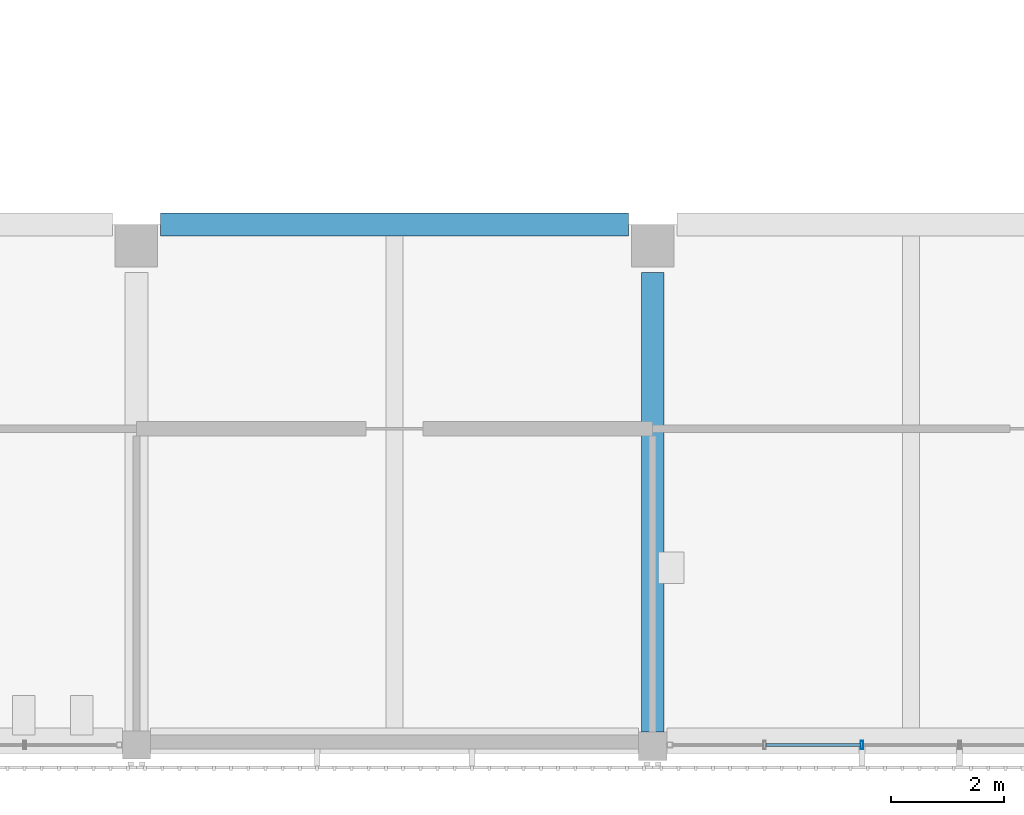
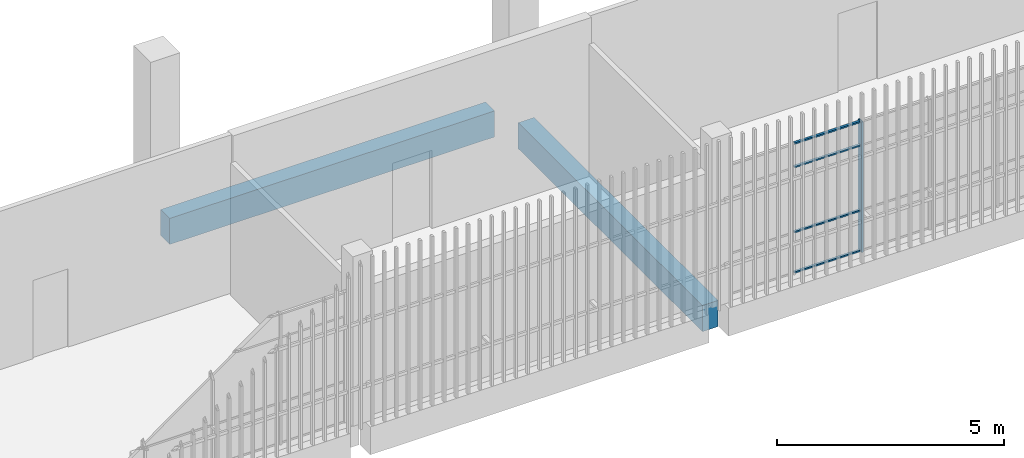
# One storey, part 25 of 124: 5 members, 2 beams, 1 element without a shape of its own.
"""IFC4 building model written with IfcOpenShell, lengths in metres."""

from ifc_helpers import new_model, si_unit, direction, frame, origin, origin_2d, place, context, subcontext, project, spatial, rectangle, hollow_rectangle, extrude, material, layer, layer_set, material_profile, profile_set, type_object, element, aggregate, save


model = new_model("IFC4")

# Units and contexts
model_context = context("Model", 3, precision=1e-05, world=origin(), true_north=direction((0.0, 1.0)))
body_context = subcontext(model_context, "Body", "Model", "MODEL_VIEW")
ifc_project = project(units=[si_unit("LENGTHUNIT", "METRE"), si_unit("AREAUNIT", "SQUARE_METRE"), si_unit("VOLUMEUNIT", "CUBIC_METRE"), si_unit("PLANEANGLEUNIT", "RADIAN"), si_unit("MASSUNIT", "GRAM", prefix="KILO")], contexts=[model_context])

# Site, building, storey
site_placement = place(None, origin())
site = spatial("IfcSite", under=ifc_project, at=site_placement, CompositionType="ELEMENT")
building_placement = place(site_placement, origin())
building = spatial("IfcBuilding", under=site, at=building_placement, Name="Shirokan Park Arena", CompositionType="ELEMENT")
storey_placement = place(building_placement, frame((0.0, 0.0, 20.02001953125)))
storey = spatial("IfcBuildingStorey", under=building, at=storey_placement, Name="L04", CompositionType="ELEMENT", Elevation=20.02001953125)

# Curtain wall, member
ifc_material_1 = material(Name="Steel and glass curtain wall", Category="steel")
ifc_layer = layer(ifc_material_1, 0.14990234375)
ifc_layer_set = layer_set([ifc_layer], Name="Steel and glass curtain wall 150 mm")
curtain_wall_type = type_object("IfcCurtainWallType", Name="Curtain wall exposed bay 150", PredefinedType="NOTDEFINED", material=ifc_layer_set)
curtain_wall_placement = place(storey_placement, origin())
curtain_wall = element("IfcCurtainWall", 1, at=curtain_wall_placement, inside=storey, type_object=curtain_wall_type, Name="Curtain wall south bay 11 L04", PredefinedType="NOTDEFINED")
ifc_material_2 = material(Name="Steel S355", Category="steel")
ifc_material_profile_1 = material_profile(ifc_material_2, hollow_rectangle(XDim=0.14990234375, YDim=0.050048828125, WallThickness=0.006103515625, at=origin_2d()), Name="RHS 150x50x6")
ifc_profile_set_1 = profile_set([ifc_material_profile_1], Name="Steel S355")
member_type_1 = type_object("IfcMemberType", Name="Mullion RHS 150x50x6", PredefinedType="MULLION", material=ifc_profile_set_1)
member_1_placement = place(storey_placement, frame((94.68994140625, -0.074951171875, 0.0), z_axis=(0.0, 0.0, 1.0), x_axis=(0.0, 1.0, 0.0)))
member_1 = element("IfcMember", 2, at=member_1_placement, type_object=member_type_1, Name="CW1 mullion 3", PredefinedType="MULLION", context=body_context, shape_type="SweptSolid", body=[
    extrude(hollow_rectangle(XDim=0.14990234375, YDim=0.050048828125, WallThickness=0.006103515625, at=origin_2d()), origin(), (0.0, 0.0, 1.0), 3.5),
])

# Beams
ifc_material_3 = material(Name="Concrete C35", Category="concrete")
ifc_material_profile_2 = material_profile(ifc_material_3, rectangle(XDim=0.39990234375, YDim=0.699951171875, at=origin_2d()), Name="400x700")
ifc_profile_set_2 = profile_set([ifc_material_profile_2], Name="Concrete C35")
beam_type = type_object("IfcBeamType", Name="RC girder 400x700", PredefinedType="BEAM", material=ifc_profile_set_2)
beam_1_placement = place(storey_placement, frame((82.3251953125, 9.10009765625, -0.60009765625), z_axis=(1.0, 0.0, 0.0), x_axis=(0.0, 1.0, 0.0)))
element("IfcBeam", 3, at=beam_1_placement, inside=storey, type_object=beam_type, Name="Girder 10B-11B L04", PredefinedType="BEAM", context=body_context, shape_type="SweptSolid", body=[
    extrude(rectangle(XDim=0.39990234375, YDim=0.699951171875, at=origin_2d()), origin(), (0.0, 0.0, 1.0), 8.249755859375),
])
beam_2_placement = place(storey_placement, frame((91.0, 0.150146484375, -0.60009765625), z_axis=(0.0, 1.0, 0.0), x_axis=(-1.0, 0.0, 0.0)))
element("IfcBeam", 4, at=beam_2_placement, inside=storey, type_object=beam_type, Name="Girder 11A-11B L04", PredefinedType="BEAM", context=body_context, shape_type="SweptSolid", body=[
    extrude(rectangle(XDim=0.39990234375, YDim=0.699951171875, at=origin_2d()), origin(), (0.0, 0.0, 1.0), 8.099853515625),
])

# Member
ifc_material_profile_3 = material_profile(ifc_material_2, hollow_rectangle(XDim=0.06005859375, YDim=0.0400390625, WallThickness=0.00390625, at=origin_2d()), Name="RHS 60x40x4")
ifc_profile_set_3 = profile_set([ifc_material_profile_3], Name="Steel S355")
member_type_2 = type_object("IfcMemberType", Name="Transom RHS 60x40x4", PredefinedType="MULLION", material=ifc_profile_set_3)
member_2_placement = place(storey_placement, frame((92.9951171875, -0.074951171875, 0.02001953125), z_axis=(1.0, 0.0, 0.0), x_axis=(0.0, 1.0, 0.0)))
member_2 = element("IfcMember", 5, at=member_2_placement, type_object=member_type_2, Name="CW1 transom 2.1", PredefinedType="MULLION", context=body_context, shape_type="SweptSolid", body=[
    extrude(hollow_rectangle(XDim=0.06005859375, YDim=0.0400390625, WallThickness=0.00390625, at=origin_2d()), origin(), (0.0, 0.0, 1.0), 1.669921875),
])

member_3_placement = place(storey_placement, frame((92.9951171875, -0.074951171875, 1.10009765625), z_axis=(1.0, 0.0, 0.0), x_axis=(0.0, 1.0, 0.0)))
member_3 = element("IfcMember", 6, at=member_3_placement, type_object=member_type_2, Name="CW1 transom 2.2", PredefinedType="MULLION", context=body_context, shape_type="SweptSolid", body=[
    extrude(hollow_rectangle(XDim=0.06005859375, YDim=0.0400390625, WallThickness=0.00390625, at=origin_2d()), origin(), (0.0, 0.0, 1.0), 1.669921875),
])

member_4_placement = place(storey_placement, frame((92.9951171875, -0.074951171875, 2.85009765625), z_axis=(1.0, 0.0, 0.0), x_axis=(0.0, 1.0, 0.0)))
member_4 = element("IfcMember", 7, at=member_4_placement, type_object=member_type_2, Name="CW1 transom 2.3", PredefinedType="MULLION", context=body_context, shape_type="SweptSolid", body=[
    extrude(hollow_rectangle(XDim=0.06005859375, YDim=0.0400390625, WallThickness=0.00390625, at=origin_2d()), origin(), (0.0, 0.0, 1.0), 1.669921875),
])

member_5_placement = place(storey_placement, frame((92.9951171875, -0.074951171875, 3.47998046875), z_axis=(1.0, 0.0, 0.0), x_axis=(0.0, 1.0, 0.0)))
member_5 = element("IfcMember", 8, at=member_5_placement, type_object=member_type_2, Name="CW1 transom 2.4", PredefinedType="MULLION", context=body_context, shape_type="SweptSolid", body=[
    extrude(hollow_rectangle(XDim=0.06005859375, YDim=0.0400390625, WallThickness=0.00390625, at=origin_2d()), origin(), (0.0, 0.0, 1.0), 1.669921875),
])

aggregate(curtain_wall, [member_1, member_2, member_3, member_4, member_5])

save(model, "model.ifc")
